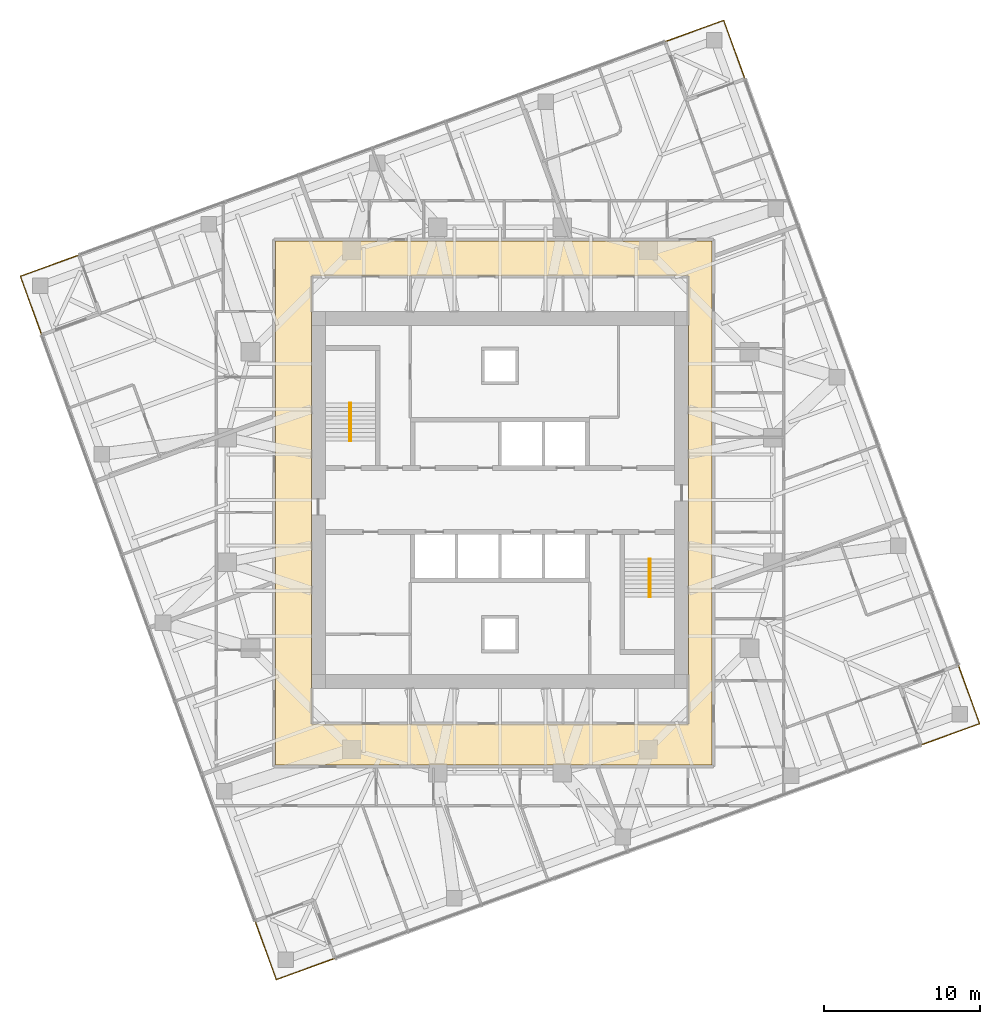
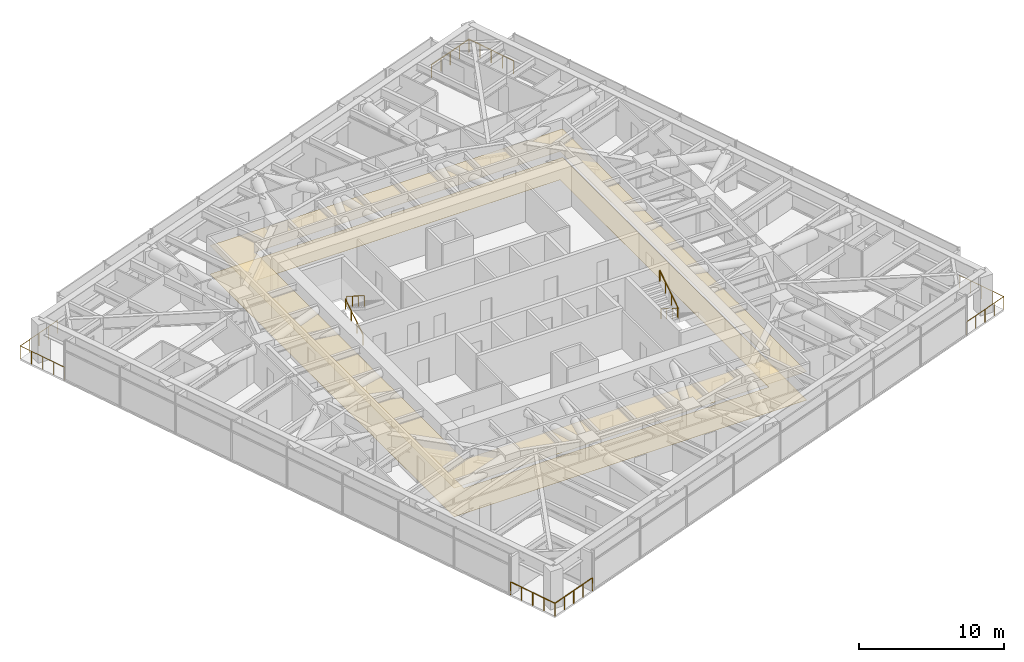
# One storey, part 16 of 16: 8 railings, 2 coverings, 2 elements without a shape of their own.
"""IFC4 building model written with IfcOpenShell, lengths in metres."""

from ifc_helpers import new_model, si_unit, direction, frame, origin, origin_2d, place, context, subcontext, project, spatial, polyline, circle, outline, extrude, material, layer, layer_set, type_object, element, aggregate, save


model = new_model("IFC4")

# Units and contexts
model_context = context("Model", 3, precision=1e-05, world=origin(), true_north=direction((0.0, 1.0)))
body_context = subcontext(model_context, "Body", "Model", "MODEL_VIEW")
ifc_project = project(units=[si_unit("LENGTHUNIT", "METRE"), si_unit("AREAUNIT", "SQUARE_METRE"), si_unit("VOLUMEUNIT", "CUBIC_METRE"), si_unit("PLANEANGLEUNIT", "RADIAN"), si_unit("MASSUNIT", "GRAM", prefix="KILO")], contexts=[model_context])

# Site, building, storey
site_placement = place(None, origin())
site = spatial("IfcSite", under=ifc_project, at=site_placement, CompositionType="ELEMENT")
building_placement = place(site_placement, origin())
building = spatial("IfcBuilding", under=site, at=building_placement, Name="Torsade Residences", CompositionType="ELEMENT")
storey_placement = place(building_placement, frame((0.0, 0.0, 167.60009765625)))
storey = spatial("IfcBuildingStorey", under=building, at=storey_placement, Name="L46", CompositionType="ELEMENT", Elevation=167.60009765625)

# Coverings
ifc_material_1 = material(Name="Nylon carpet tile on underlay", Category="textile")
ifc_layer_1 = layer(ifc_material_1, 0.010009765625)
ifc_layer_set_1 = layer_set([ifc_layer_1], Name="Nylon carpet tile on underlay")
covering_type_1 = type_object("IfcCoveringType", Name="CORRIDOR CARPET TILE 10", PredefinedType="FLOORING", material=ifc_layer_set_1)
covering_1_placement = place(storey_placement, origin())
element("IfcCovering", 1, at=covering_1_placement, inside=storey, type_object=covering_type_1, Name="Corridor carpet L46", PredefinedType="FLOORING", context=body_context, shape_type="SweptSolid", body=[
    extrude(outline(polyline([(25.60009765625, 46.60009765625), (25.60009765625, 13.0), (53.60009765625, 13.0), (53.60009765625, 46.60009765625), (25.60009765625, 46.60009765625)]), holes=[polyline([(52.10009765625, 44.35009765625), (27.89990234375, 44.35009765625), (27.89990234375, 15.64990234375), (52.10009765625, 15.64990234375), (52.10009765625, 44.35009765625)])]), origin(), (0.0, 0.0, 1.0), 0.010009765625),
])
ifc_material_2 = material(Name="Plasterboard on suspended steel grid", Category="steel")
ifc_layer_2 = layer(ifc_material_2, 0.012939453125)
ifc_layer_set_2 = layer_set([ifc_layer_2], Name="Plasterboard on suspended steel grid")
covering_type_2 = type_object("IfcCoveringType", Name="CORRIDOR SUSPENDED CEILING 13", PredefinedType="CEILING", material=ifc_layer_set_2)
covering_2_placement = place(storey_placement, frame((0.0, 0.0, 2.39990234375)))
element("IfcCovering", 2, at=covering_2_placement, inside=storey, type_object=covering_type_2, Name="Corridor ceiling L46", PredefinedType="CEILING", context=body_context, shape_type="SweptSolid", body=[
    extrude(outline(polyline([(25.60009765625, 46.60009765625), (25.60009765625, 13.0), (53.60009765625, 13.0), (53.60009765625, 46.60009765625), (25.60009765625, 46.60009765625)]), holes=[polyline([(52.10009765625, 44.35009765625), (27.89990234375, 44.35009765625), (27.89990234375, 15.64990234375), (52.10009765625, 15.64990234375), (52.10009765625, 44.35009765625)])]), origin(), (0.0, 0.0, 1.0), 0.012939453125),
])

# Stair, railings
ifc_material_3 = material(Name="Precast concrete 40 MPa", Category="concrete")
stair_type = type_object("IfcStairType", Name="HALF-TURN FIRE STAIR 1500x3400", PredefinedType="HALF_TURN_STAIR", material=ifc_material_3)
stair_1_placement = place(storey_placement, origin())
stair_1 = element("IfcStair", 3, at=stair_1_placement, inside=storey, type_object=stair_type, Name="Stair ST1 L46", PredefinedType="HALF_TURN_STAIR")
ifc_material_4 = material(Name="Steel handrail", Category="steel")
railing_type_1 = type_object("IfcRailingType", Name="STAIR HANDRAIL 900", PredefinedType="HANDRAIL", material=ifc_material_4)
railing_1_placement = place(storey_placement, frame((30.35009765625, 33.780029296875, 0.169921875)))
railing_1 = element("IfcRailing", 4, at=railing_1_placement, type_object=railing_type_1, Name="Handrail ST1 flight 1 L46", PredefinedType="HANDRAIL", context=body_context, shape_type="SweptSolid", body=[
    extrude(circle(Radius=0.02392578125, at=origin_2d()), frame((0.0, 0.0, 0.8759765625), z_axis=(0.0, 0.846221481393, 0.532831309544), x_axis=(-1.0, 0.0, 0.0)), (0.0, 0.0, 1.0), 2.87158203125),
    extrude(circle(Radius=0.02099609375, at=origin_2d()), origin(), (0.0, 0.0, 1.0), 0.851806640625),
    extrude(circle(Radius=0.02099609375, at=origin_2d()), frame((0.0, 0.81005859375, 0.510009765625)), (0.0, 0.0, 1.0), 0.851806640625),
    extrude(circle(Radius=0.02099609375, at=origin_2d()), frame((0.0, 1.619873046875, 1.02001953125)), (0.0, 0.0, 1.0), 0.851806640625),
    extrude(circle(Radius=0.02099609375, at=origin_2d()), frame((0.0, 2.429931640625, 1.530029296875)), (0.0, 0.0, 1.0), 0.851806640625),
])
railing_2_placement = place(storey_placement, frame((30.449951171875, 36.2099609375, 1.869873046875)))
railing_2 = element("IfcRailing", 5, at=railing_2_placement, type_object=railing_type_1, Name="Handrail ST1 flight 2 L46", PredefinedType="HANDRAIL", context=body_context, shape_type="SweptSolid", body=[
    extrude(circle(Radius=0.02392578125, at=origin_2d()), frame((0.0, 0.0, 0.8759765625), z_axis=(0.0, -0.846221481393, 0.532831309544), x_axis=(1.0, 0.0, 0.0)), (0.0, 0.0, 1.0), 2.87158203125),
    extrude(circle(Radius=0.02099609375, at=origin_2d()), origin(), (0.0, 0.0, 1.0), 0.851806640625),
    extrude(circle(Radius=0.02099609375, at=origin_2d()), frame((0.0, -0.81005859375, 0.510009765625)), (0.0, 0.0, 1.0), 0.851806640625),
    extrude(circle(Radius=0.02099609375, at=origin_2d()), frame((0.0, -1.619873046875, 1.02001953125)), (0.0, 0.0, 1.0), 0.851806640625),
    extrude(circle(Radius=0.02099609375, at=origin_2d()), frame((0.0, -2.429931640625, 1.530029296875)), (0.0, 0.0, 1.0), 0.851806640625),
])
aggregate(stair_1, [railing_1, railing_2])

stair_2_placement = place(storey_placement, origin())
stair_2 = element("IfcStair", 6, at=stair_2_placement, inside=storey, type_object=stair_type, Name="Stair ST2 L46", PredefinedType="HALF_TURN_STAIR")
railing_3_placement = place(storey_placement, frame((49.64990234375, 26.219970703125, 0.169921875)))
railing_3 = element("IfcRailing", 7, at=railing_3_placement, type_object=railing_type_1, Name="Handrail ST2 flight 1 L46", PredefinedType="HANDRAIL", context=body_context, shape_type="SweptSolid", body=[
    extrude(circle(Radius=0.02392578125, at=origin_2d()), frame((0.0, 0.0, 0.8759765625), z_axis=(0.0, -0.846221481393, 0.532831309544), x_axis=(1.0, 0.0, 0.0)), (0.0, 0.0, 1.0), 2.87158203125),
    extrude(circle(Radius=0.02099609375, at=origin_2d()), origin(), (0.0, 0.0, 1.0), 0.851806640625),
    extrude(circle(Radius=0.02099609375, at=origin_2d()), frame((0.0, -0.81005859375, 0.510009765625)), (0.0, 0.0, 1.0), 0.851806640625),
    extrude(circle(Radius=0.02099609375, at=origin_2d()), frame((0.0, -1.619873046875, 1.02001953125)), (0.0, 0.0, 1.0), 0.851806640625),
    extrude(circle(Radius=0.02099609375, at=origin_2d()), frame((0.0, -2.429931640625, 1.530029296875)), (0.0, 0.0, 1.0), 0.851806640625),
])
railing_4_placement = place(storey_placement, frame((49.550048828125, 23.7900390625, 1.869873046875)))
railing_4 = element("IfcRailing", 8, at=railing_4_placement, type_object=railing_type_1, Name="Handrail ST2 flight 2 L46", PredefinedType="HANDRAIL", context=body_context, shape_type="SweptSolid", body=[
    extrude(circle(Radius=0.02392578125, at=origin_2d()), frame((0.0, 0.0, 0.8759765625), z_axis=(0.0, 0.846221481393, 0.532831309544), x_axis=(-1.0, 0.0, 0.0)), (0.0, 0.0, 1.0), 2.87158203125),
    extrude(circle(Radius=0.02099609375, at=origin_2d()), origin(), (0.0, 0.0, 1.0), 0.851806640625),
    extrude(circle(Radius=0.02099609375, at=origin_2d()), frame((0.0, 0.81005859375, 0.510009765625)), (0.0, 0.0, 1.0), 0.851806640625),
    extrude(circle(Radius=0.02099609375, at=origin_2d()), frame((0.0, 1.619873046875, 1.02001953125)), (0.0, 0.0, 1.0), 0.851806640625),
    extrude(circle(Radius=0.02099609375, at=origin_2d()), frame((0.0, 2.429931640625, 1.530029296875)), (0.0, 0.0, 1.0), 0.851806640625),
])
aggregate(stair_2, [railing_3, railing_4])

# Railings
ifc_material_5 = material(Name="Laminated glass balustrade", Category="glass")
railing_type_2 = type_object("IfcRailingType", Name="TERRACE GLASS BALUSTRADE 1100", PredefinedType="BALUSTRADE", material=ifc_material_5)
railing_5_placement = place(storey_placement, frame((67.00244140625, 14.287841796875, 0.0)))
element("IfcRailing", 9, at=railing_5_placement, inside=storey, type_object=railing_type_2, Name="Terrace balustrade SE L46", PredefinedType="BALUSTRADE", context=body_context, shape_type="SweptSolid", body=[
    extrude(circle(Radius=0.02392578125, at=origin_2d()), frame((0.0, 0.0, 1.076171875), z_axis=(0.939698932726, 0.342002800914, 0.0), x_axis=(-0.342002800914, 0.939698932726, 0.0)), (0.0, 0.0, 1.0), 3.999755859375),
    extrude(circle(Radius=0.02392578125, at=origin_2d()), frame((3.758544921875, 1.367919921875, 1.076171875), z_axis=(-0.341983185197, 0.939706071622, 0.0), x_axis=(-0.939706071622, -0.341983185197, 0.0)), (0.0, 0.0, 1.0), 4.0),
    extrude(circle(Radius=0.02099609375, at=origin_2d()), origin(), (0.0, 0.0, 1.0), 1.052001953125),
    extrude(circle(Radius=0.02099609375, at=origin_2d()), frame((0.939697265625, 0.342041015625, 0.0)), (0.0, 0.0, 1.0), 1.052001953125),
    extrude(circle(Radius=0.02099609375, at=origin_2d()), frame((1.87939453125, 0.68408203125, 0.0)), (0.0, 0.0, 1.0), 1.052001953125),
    extrude(circle(Radius=0.02099609375, at=origin_2d()), frame((2.81884765625, 1.02587890625, 0.0)), (0.0, 0.0, 1.0), 1.052001953125),
    extrude(circle(Radius=0.02099609375, at=origin_2d()), frame((3.758544921875, 1.367919921875, 0.0)), (0.0, 0.0, 1.0), 1.052001953125),
    extrude(circle(Radius=0.02099609375, at=origin_2d()), frame((3.41650390625, 2.3076171875, 0.0)), (0.0, 0.0, 1.0), 1.052001953125),
    extrude(circle(Radius=0.02099609375, at=origin_2d()), frame((3.07470703125, 3.247314453125, 0.0)), (0.0, 0.0, 1.0), 1.052001953125),
    extrude(circle(Radius=0.02099609375, at=origin_2d()), frame((2.732666015625, 4.18701171875, 0.0)), (0.0, 0.0, 1.0), 1.052001953125),
    extrude(circle(Radius=0.02099609375, at=origin_2d()), frame((2.390625, 5.126708984375, 0.0)), (0.0, 0.0, 1.0), 1.052001953125),
])
railing_6_placement = place(storey_placement, frame((55.712158203125, 57.00244140625, 0.0)))
element("IfcRailing", 10, at=railing_6_placement, inside=storey, type_object=railing_type_2, Name="Terrace balustrade NE L46", PredefinedType="BALUSTRADE", context=body_context, shape_type="SweptSolid", body=[
    extrude(circle(Radius=0.02392578125, at=origin_2d()), frame((0.0, 0.0, 1.076171875), z_axis=(-0.342002800914, 0.939698932726, 0.0), x_axis=(-0.939698932726, -0.342002800914, 0.0)), (0.0, 0.0, 1.0), 3.999755859375),
    extrude(circle(Radius=0.02392578125, at=origin_2d()), frame((-1.367919921875, 3.758544921875, 1.076171875), z_axis=(-0.939706071622, -0.341983185197, 0.0), x_axis=(0.341983185197, -0.939706071622, 0.0)), (0.0, 0.0, 1.0), 4.0),
    extrude(circle(Radius=0.02099609375, at=origin_2d()), origin(), (0.0, 0.0, 1.0), 1.052001953125),
    extrude(circle(Radius=0.02099609375, at=origin_2d()), frame((-0.342041015625, 0.939697265625, 0.0)), (0.0, 0.0, 1.0), 1.052001953125),
    extrude(circle(Radius=0.02099609375, at=origin_2d()), frame((-0.68408203125, 1.87939453125, 0.0)), (0.0, 0.0, 1.0), 1.052001953125),
    extrude(circle(Radius=0.02099609375, at=origin_2d()), frame((-1.02587890625, 2.81884765625, 0.0)), (0.0, 0.0, 1.0), 1.052001953125),
    extrude(circle(Radius=0.02099609375, at=origin_2d()), frame((-1.367919921875, 3.758544921875, 0.0)), (0.0, 0.0, 1.0), 1.052001953125),
    extrude(circle(Radius=0.02099609375, at=origin_2d()), frame((-2.3076171875, 3.41650390625, 0.0)), (0.0, 0.0, 1.0), 1.052001953125),
    extrude(circle(Radius=0.02099609375, at=origin_2d()), frame((-3.247314453125, 3.07470703125, 0.0)), (0.0, 0.0, 1.0), 1.052001953125),
    extrude(circle(Radius=0.02099609375, at=origin_2d()), frame((-4.18701171875, 2.732666015625, 0.0)), (0.0, 0.0, 1.0), 1.052001953125),
    extrude(circle(Radius=0.02099609375, at=origin_2d()), frame((-5.126708984375, 2.390625, 0.0)), (0.0, 0.0, 1.0), 1.052001953125),
])
railing_7_placement = place(storey_placement, frame((12.99755859375, 45.712158203125, 0.0)))
element("IfcRailing", 11, at=railing_7_placement, inside=storey, type_object=railing_type_2, Name="Terrace balustrade NW L46", PredefinedType="BALUSTRADE", context=body_context, shape_type="SweptSolid", body=[
    extrude(circle(Radius=0.02392578125, at=origin_2d()), frame((0.0, 0.0, 1.076171875), z_axis=(-0.939698932726, -0.342002800914, 0.0), x_axis=(0.342002800914, -0.939698932726, 0.0)), (0.0, 0.0, 1.0), 3.999755859375),
    extrude(circle(Radius=0.02392578125, at=origin_2d()), frame((-3.758544921875, -1.367919921875, 1.076171875), z_axis=(0.341983185197, -0.939706071622, 0.0), x_axis=(0.939706071622, 0.341983185197, 0.0)), (0.0, 0.0, 1.0), 4.0),
    extrude(circle(Radius=0.02099609375, at=origin_2d()), origin(), (0.0, 0.0, 1.0), 1.052001953125),
    extrude(circle(Radius=0.02099609375, at=origin_2d()), frame((-0.939697265625, -0.342041015625, 0.0)), (0.0, 0.0, 1.0), 1.052001953125),
    extrude(circle(Radius=0.02099609375, at=origin_2d()), frame((-1.87939453125, -0.68408203125, 0.0)), (0.0, 0.0, 1.0), 1.052001953125),
    extrude(circle(Radius=0.02099609375, at=origin_2d()), frame((-2.81884765625, -1.02587890625, 0.0)), (0.0, 0.0, 1.0), 1.052001953125),
    extrude(circle(Radius=0.02099609375, at=origin_2d()), frame((-3.758544921875, -1.367919921875, 0.0)), (0.0, 0.0, 1.0), 1.052001953125),
    extrude(circle(Radius=0.02099609375, at=origin_2d()), frame((-3.41650390625, -2.3076171875, 0.0)), (0.0, 0.0, 1.0), 1.052001953125),
    extrude(circle(Radius=0.02099609375, at=origin_2d()), frame((-3.07470703125, -3.247314453125, 0.0)), (0.0, 0.0, 1.0), 1.052001953125),
    extrude(circle(Radius=0.02099609375, at=origin_2d()), frame((-2.732666015625, -4.18701171875, 0.0)), (0.0, 0.0, 1.0), 1.052001953125),
    extrude(circle(Radius=0.02099609375, at=origin_2d()), frame((-2.390625, -5.126708984375, 0.0)), (0.0, 0.0, 1.0), 1.052001953125),
])
railing_8_placement = place(storey_placement, frame((24.287841796875, 2.99755859375, 0.0)))
element("IfcRailing", 12, at=railing_8_placement, inside=storey, type_object=railing_type_2, Name="Terrace balustrade SW L46", PredefinedType="BALUSTRADE", context=body_context, shape_type="SweptSolid", body=[
    extrude(circle(Radius=0.02392578125, at=origin_2d()), frame((0.0, 0.0, 1.076171875), z_axis=(0.342002800914, -0.939698932726, 0.0), x_axis=(0.939698932726, 0.342002800914, 0.0)), (0.0, 0.0, 1.0), 3.999755859375),
    extrude(circle(Radius=0.02392578125, at=origin_2d()), frame((1.367919921875, -3.758544921875, 1.076171875), z_axis=(0.939706071622, 0.341983185197, 0.0), x_axis=(-0.341983185197, 0.939706071622, 0.0)), (0.0, 0.0, 1.0), 4.0),
    extrude(circle(Radius=0.02099609375, at=origin_2d()), origin(), (0.0, 0.0, 1.0), 1.052001953125),
    extrude(circle(Radius=0.02099609375, at=origin_2d()), frame((0.342041015625, -0.939697265625, 0.0)), (0.0, 0.0, 1.0), 1.052001953125),
    extrude(circle(Radius=0.02099609375, at=origin_2d()), frame((0.68408203125, -1.87939453125, 0.0)), (0.0, 0.0, 1.0), 1.052001953125),
    extrude(circle(Radius=0.02099609375, at=origin_2d()), frame((1.02587890625, -2.81884765625, 0.0)), (0.0, 0.0, 1.0), 1.052001953125),
    extrude(circle(Radius=0.02099609375, at=origin_2d()), frame((1.367919921875, -3.758544921875, 0.0)), (0.0, 0.0, 1.0), 1.052001953125),
    extrude(circle(Radius=0.02099609375, at=origin_2d()), frame((2.3076171875, -3.41650390625, 0.0)), (0.0, 0.0, 1.0), 1.052001953125),
    extrude(circle(Radius=0.02099609375, at=origin_2d()), frame((3.247314453125, -3.07470703125, 0.0)), (0.0, 0.0, 1.0), 1.052001953125),
    extrude(circle(Radius=0.02099609375, at=origin_2d()), frame((4.18701171875, -2.732666015625, 0.0)), (0.0, 0.0, 1.0), 1.052001953125),
    extrude(circle(Radius=0.02099609375, at=origin_2d()), frame((5.126708984375, -2.390625, 0.0)), (0.0, 0.0, 1.0), 1.052001953125),
])

save(model, "model.ifc")
